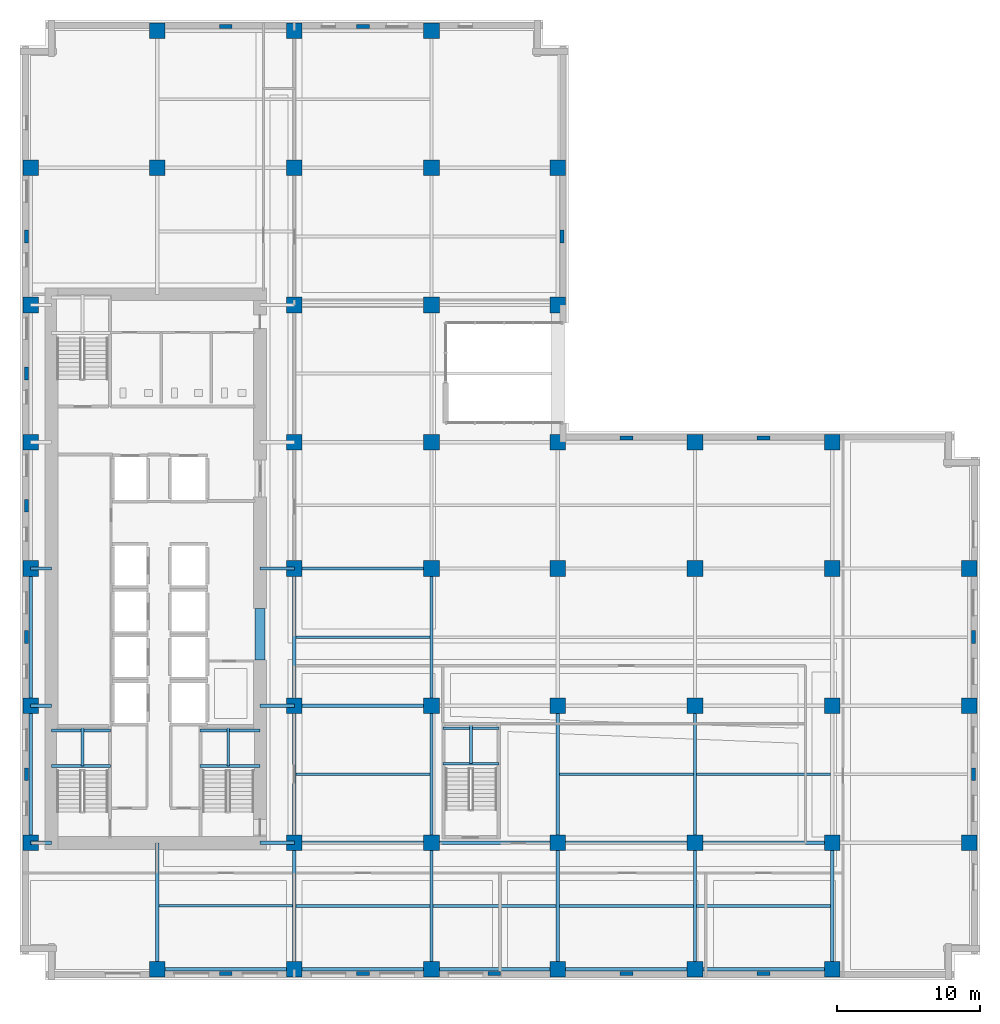
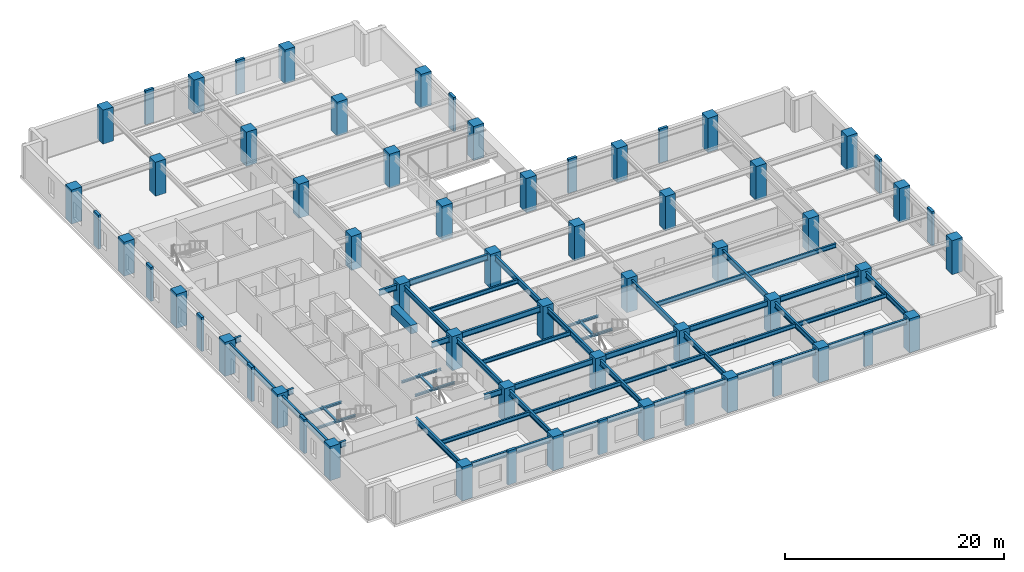
# One storey, part 1 of 14: 62 columns, 50 beams.
"""IFC4 building model written with IfcOpenShell, lengths in metres."""

import ifcopenshell
import ifcopenshell.guid

model = None  # the IFC model being written
_history = None  # IfcOwnerHistory: only IFC2X3 demands one
_inside = {}  # id of a spatial element -> (the spatial element, [elements in it])
_under = {}  # id of a project, library or spatial element -> (it, [spatial elements below it])
_declared = {}  # id of a project -> (the project, [libraries it declares])
_typed = {}  # id of a type object -> (the type object, [elements of that type])
_made_of = {}  # id of a material, layer set ... -> (it, [elements and type objects made of it])


def new_model(schema):
    """Start an empty IFC model of exactly this schema.

    Asked for "IFC4X3", IfcOpenShell would pick the latest addendum, in which some entities
    have other attributes; the version numbers below select the first issue.
    IFC2X3 requires an IfcOwnerHistory on every rooted entity: one is made here for all.
    """
    global model, _history
    if schema == "IFC4X3":
        model = ifcopenshell.file(schema_version=(4, 3, 0, 0))
    else:
        model = ifcopenshell.file(schema=schema)
    _inside.clear()
    _under.clear()
    _declared.clear()
    _typed.clear()
    _made_of.clear()
    _history = None
    if model.schema == "IFC2X3":
        org = make("IfcOrganization", Name="unknown")
        user = make(
            "IfcPersonAndOrganization",
            ThePerson=make("IfcPerson", FamilyName="unknown"),
            TheOrganization=org,
        )
        app = make(
            "IfcApplication",
            ApplicationDeveloper=org,
            Version="unknown",
            ApplicationFullName="unknown",
            ApplicationIdentifier="unknown",
        )
        _history = make(
            "IfcOwnerHistory",
            OwningUser=user,
            OwningApplication=app,
            ChangeAction="ADDED",
            CreationDate=0,
        )
    return model


def make(cls, **values):
    """One entity of the class cls with the attributes given. An attribute that is None is left unset."""
    return model.create_entity(
        cls, **{name: value for name, value in values.items() if value is not None}
    )


def rooted(cls, **values):
    """An entity with a GlobalId (a new one), such as an element, a storey or a relation."""
    return make(cls, GlobalId=ifcopenshell.guid.new(), OwnerHistory=_history, **values)


def si_unit(unit_type, name, prefix=None):
    """IfcSIUnit, for example si_unit("LENGTHUNIT", "METRE", prefix="MILLI")."""
    return make("IfcSIUnit", UnitType=unit_type, Prefix=prefix, Name=name)


def assignment(units):
    """IfcUnitAssignment: the units of a project."""
    return None if units is None else make("IfcUnitAssignment", Units=units)


def point(xyz):
    """IfcCartesianPoint."""
    return None if xyz is None else make("IfcCartesianPoint", Coordinates=xyz)


def direction(xyz):
    """IfcDirection."""
    return None if xyz is None else make("IfcDirection", DirectionRatios=xyz)


def frame(location, z_axis=None, x_axis=None):
    """IfcAxis2Placement3D, a coordinate frame: its origin and axes. An axis left out is left unset."""
    return make(
        "IfcAxis2Placement3D",
        Location=point(location),
        Axis=direction(z_axis),
        RefDirection=direction(x_axis),
    )


def frame_2d(location, x_axis=None):
    """IfcAxis2Placement2D, a coordinate frame in the plane: its origin and x axis."""
    return make(
        "IfcAxis2Placement2D", Location=point(location), RefDirection=direction(x_axis)
    )


def origin():
    """The frame at (0, 0, 0) with its axes left unset."""
    return frame((0.0, 0.0, 0.0))


def origin_2d():
    """The frame at (0, 0) in the plane with its x axis left unset."""
    return frame_2d((0.0, 0.0))


def place(relative_to, where):
    """IfcLocalPlacement: puts the frame where relative to a parent placement (None: the world)."""
    return make(
        "IfcLocalPlacement", PlacementRelTo=relative_to, RelativePlacement=where
    )


def context(
    kind, dimensions, precision=None, world=None, true_north=None, identifier=None
):
    """IfcGeometricRepresentationContext, for example the 3D "Model" context."""
    return make(
        "IfcGeometricRepresentationContext",
        ContextIdentifier=identifier,
        ContextType=kind,
        CoordinateSpaceDimension=dimensions,
        Precision=precision,
        WorldCoordinateSystem=world,
        TrueNorth=true_north,
    )


def subcontext(parent, identifier, kind, view, scale=None):
    """IfcGeometricRepresentationSubContext, for example "Body" below "Model"."""
    return make(
        "IfcGeometricRepresentationSubContext",
        ContextIdentifier=identifier,
        ContextType=kind,
        ParentContext=parent,
        TargetScale=scale,
        TargetView=view,
    )


def project(units=None, contexts=None):
    """IfcProject with its units and contexts."""
    return rooted(
        "IfcProject",
        Name="project",
        RepresentationContexts=contexts,
        UnitsInContext=assignment(units),
    )


def spatial(cls, under=None, at=None, **own):
    """A site, building, storey or space (cls), placed at a placement, below another one or the project."""
    s = rooted(cls, ObjectPlacement=at, **own)
    if under is not None:
        _under.setdefault(under.id(), (under, []))[1].append(s)
    return s


def profile(cls, at=None, kind="AREA", **sizes):
    """A parametric profile (cls). Its sizes go by their IFC names, for example OverallWidth=200.0."""
    return make(cls, ProfileType=kind, Position=at, **sizes)


def rectangle(**sizes):
    """IfcRectangleProfileDef."""
    return profile("IfcRectangleProfileDef", **sizes)


def i_section(**sizes):
    """IfcIShapeProfileDef."""
    return profile("IfcIShapeProfileDef", **sizes)


def extrude(swept, where, along, depth):
    """IfcExtrudedAreaSolid: the profile swept, set in the frame where, extruded along a direction by depth."""
    return make(
        "IfcExtrudedAreaSolid",
        SweptArea=swept,
        Position=where,
        ExtrudedDirection=direction(along),
        Depth=depth,
    )


def shape(context_of_items, identifier, shape_type, items):
    """IfcShapeRepresentation: the items that make up one representation, for example the "Body"."""
    return make(
        "IfcShapeRepresentation",
        ContextOfItems=context_of_items,
        RepresentationIdentifier=identifier,
        RepresentationType=shape_type,
        Items=items,
    )


def material(Name=None, Category=None):
    """IfcMaterial."""
    return make("IfcMaterial", Name=Name, Category=Category)


def material_profile(
    of_material, cross_section, Name=None, Category=None, Priority=None
):
    """IfcMaterialProfile: a cross section and its material."""
    return make(
        "IfcMaterialProfile",
        Name=Name,
        Material=of_material,
        Profile=cross_section,
        Priority=Priority,
        Category=Category,
    )


def profile_set(profiles, Name=None, composite=None):
    """IfcMaterialProfileSet."""
    return make(
        "IfcMaterialProfileSet",
        Name=Name,
        MaterialProfiles=profiles,
        CompositeProfile=composite,
    )


def made_of(thing, what):
    """Note that an element or type object is made of a material, layer set ...; save() writes the relation."""
    if what is not None:
        _made_of.setdefault(what.id(), (what, []))[1].append(thing)
    return thing


def type_object(cls, material=None, **own):
    """A type object (cls), such as IfcWallType, which elements share."""
    return made_of(rooted(cls, **own), material)


def element(
    cls,
    number,
    at=None,
    inside=None,
    cuts=None,
    type_object=None,
    material=None,
    context=None,
    identifier="Body",
    shape_type=None,
    held_by="IfcProductDefinitionShape",
    body=None,
    shapes=None,
    **own,
):
    """One element of the class cls, such as IfcWall. Its Tag is "e" and its number.

    at: its placement. inside: the storey or other place that contains it. cuts: it is an
    opening in that element (IfcRelVoidsElement). A single representation is given by context,
    identifier, shape_type and body (its items); several are given by shapes. held_by: the class
    of the entity that holds the representations. save() writes the other relations.
    """
    e = rooted(cls, Tag="e%d" % number, ObjectPlacement=at, **own)
    if body is not None:
        shapes = [shape(context, identifier, shape_type, body)]
    if shapes is not None:
        e.Representation = make(held_by, Representations=shapes)
    if inside is not None:
        _inside.setdefault(inside.id(), (inside, []))[1].append(e)
    if cuts is not None:
        rooted(
            "IfcRelVoidsElement", RelatingBuildingElement=cuts, RelatedOpeningElement=e
        )
    if type_object is not None:
        _typed.setdefault(type_object.id(), (type_object, []))[1].append(e)
    return made_of(e, material)


def aggregate(whole, parts):
    """IfcRelAggregates: a whole, such as a stair, and the parts it consists of."""
    return rooted("IfcRelAggregates", RelatingObject=whole, RelatedObjects=parts)


def save(model, path):
    """Write the relations noted so far, then the file.

    IfcRelAggregates (storeys below a building ...), IfcRelContainedInSpatialStructure (elements
    in a storey), IfcRelDefinesByType, IfcRelAssociatesMaterial and IfcRelDeclares: one each for
    every whole, place, type object, material and project.
    """
    for whole, parts in _under.values():
        aggregate(whole, parts)
    for where, things in _inside.values():
        rooted(
            "IfcRelContainedInSpatialStructure",
            RelatedElements=things,
            RelatingStructure=where,
        )
    for kind, things in _typed.values():
        rooted("IfcRelDefinesByType", RelatedObjects=things, RelatingType=kind)
    for what, things in _made_of.values():
        rooted("IfcRelAssociatesMaterial", RelatedObjects=things, RelatingMaterial=what)
    for by, libraries in _declared.values():
        rooted("IfcRelDeclares", RelatingContext=by, RelatedDefinitions=libraries)
    model.write(path)


model = new_model("IFC4")

# Units and contexts
model_context = context("Model", 3, precision=1e-05, world=origin(), true_north=direction((0.0, 1.0)))
body_context = subcontext(model_context, "Body", "Model", "MODEL_VIEW")
ifc_project = project(units=[si_unit("LENGTHUNIT", "METRE"), si_unit("AREAUNIT", "SQUARE_METRE"), si_unit("VOLUMEUNIT", "CUBIC_METRE"), si_unit("PLANEANGLEUNIT", "RADIAN"), si_unit("MASSUNIT", "GRAM", prefix="KILO")], contexts=[model_context])

# Site, building, storey
site_placement = place(None, origin())
site = spatial("IfcSite", under=ifc_project, at=site_placement, CompositionType="ELEMENT")
building_placement = place(site_placement, origin())
building = spatial("IfcBuilding", under=site, at=building_placement, Name="Norrvale University Quadrangle", CompositionType="ELEMENT")
storey_placement = place(building_placement, frame((0.0, 0.0, 62.199951171875)))
storey = spatial("IfcBuildingStorey", under=building, at=storey_placement, Name="L15", CompositionType="ELEMENT", Elevation=62.199951171875)

# Columns
ifc_material_1 = material(Name="Buff Brick Concrete C60/75", Category="concrete")
ifc_material_profile_1 = material_profile(ifc_material_1, rectangle(XDim=0.89990234375, YDim=0.280029296875, at=origin_2d()), Name="Buff Brick Concrete C60/75")
ifc_profile_set_1 = profile_set([ifc_material_profile_1], Name="Buff Brick Concrete C60/75")
column_type_1 = type_object("IfcColumnType", Name="Column Buff Pier 900x280", PredefinedType="PILASTER", material=ifc_profile_set_1)
for number, where, z_axis, x_axis, name in (
    (1, (0.449951171875, 14.39990234375, 0.0), (0.0, 0.0, 1.0), (0.0, 1.0, 0.0), "Exterior Brick Facade Pilaster L15-01"),
    (2, (0.449951171875, 24.0, 0.0), (0.0, 0.0, 1.0), (0.0, 1.0, 0.0), "Exterior Brick Facade Pilaster L15-02"),
    (3, (0.449951171875, 33.199951171875, 0.0), (0.0, 0.0, 1.0), (0.0, 1.0, 0.0), "Exterior Brick Facade Pilaster L15-03"),
    (4, (0.449951171875, 42.449951171875, 0.0), (0.0, 0.0, 1.0), (0.0, 1.0, 0.0), "Exterior Brick Facade Pilaster L15-04"),
    (5, (0.449951171875, 52.050048828125, 0.0), (0.0, 0.0, 1.0), (0.0, 1.0, 0.0), "Exterior Brick Facade Pilaster L15-05"),
    (6, (14.39990234375, 0.449951171875, 0.0), (0.0, 0.0, 1.0), (1.0, 0.0, 0.0), "Exterior Brick Facade Pilaster L15-06"),
    (7, (24.0, 0.449951171875, 0.0), (0.0, 0.0, 1.0), (1.0, 0.0, 0.0), "Exterior Brick Facade Pilaster L15-07"),
    (8, (33.199951171875, 0.449951171875, 0.0), (0.0, 0.0, 1.0), (1.0, 0.0, 0.0), "Exterior Brick Facade Pilaster L15-08"),
    (9, (42.449951171875, 0.449951171875, 0.0), (0.0, 0.0, 1.0), (1.0, 0.0, 0.0), "Exterior Brick Facade Pilaster L15-09"),
    (10, (52.050048828125, 0.449951171875, 0.0), (0.0, 0.0, 1.0), (1.0, 0.0, 0.0), "Exterior Brick Facade Pilaster L15-10"),
    (11, (66.75, 14.39990234375, 0.0), (0.0, 0.0, 1.0), (0.0, 1.0, 0.0), "Exterior Brick Facade Pilaster L15-11"),
    (12, (66.75, 24.0, 0.0), (0.0, 0.0, 1.0), (0.0, 1.0, 0.0), "Exterior Brick Facade Pilaster L15-12"),
    (13, (14.39990234375, 66.75, 0.0), (0.0, 0.0, 1.0), (1.0, 0.0, 0.0), "Exterior Brick Facade Pilaster L15-13"),
    (14, (24.0, 66.75, 0.0), (0.0, 0.0, 1.0), (1.0, 0.0, 0.0), "Exterior Brick Facade Pilaster L15-14"),
    (15, (37.949951171875, 52.050048828125, 0.0), (0.0, 0.0, 1.0), (0.0, 1.0, 0.0), "Exterior Brick Facade Pilaster L15-15"),
    (16, (42.449951171875, 37.949951171875, 0.0), (0.0, 0.0, 1.0), (1.0, 0.0, 0.0), "Exterior Brick Facade Pilaster L15-16"),
    (17, (52.050048828125, 37.949951171875, 0.0), (0.0, 0.0, 1.0), (1.0, 0.0, 0.0), "Exterior Brick Facade Pilaster L15-17"),
):
    element("IfcColumn", number, at=place(storey_placement, frame(where, z_axis=z_axis, x_axis=x_axis)), inside=storey, type_object=column_type_1, Name=name, PredefinedType="PILASTER", context=body_context, shape_type="SweptSolid", body=[
        extrude(rectangle(XDim=0.89990234375, YDim=0.280029296875, at=origin_2d()), origin(), (0.0, 0.0, 1.0), 3.800048828125),
    ])
ifc_material_2 = material(Name="Concrete C80/95", Category="concrete")
ifc_material_profile_2 = material_profile(ifc_material_2, rectangle(XDim=1.10009765625, YDim=1.10009765625, at=origin_2d()), Name="Concrete C80/95")
ifc_profile_set_2 = profile_set([ifc_material_profile_2], Name="Concrete C80/95")
column_type_2 = type_object("IfcColumnType", Name="Column Tower Z1 1100x1100", PredefinedType="COLUMN", material=ifc_profile_set_2)
for number, where, z_axis, x_axis, name in (
    (18, (0.75, 9.60009765625, 0.0), (0.0, 0.0, 1.0), (1.0, 0.0, 0.0), "Tower Column L15-T01"),
    (19, (0.75, 19.199951171875, 0.0), (0.0, 0.0, 1.0), (1.0, 0.0, 0.0), "Tower Column L15-T02"),
    (20, (0.75, 28.800048828125, 0.0), (0.0, 0.0, 1.0), (1.0, 0.0, 0.0), "Tower Column L15-T03"),
    (21, (0.75, 37.64990234375, 0.0), (0.0, 0.0, 1.0), (1.0, 0.0, 0.0), "Tower Column L15-T04"),
    (22, (0.75, 47.25, 0.0), (0.0, 0.0, 1.0), (1.0, 0.0, 0.0), "Tower Column L15-T05"),
    (23, (0.75, 56.85009765625, 0.0), (0.0, 0.0, 1.0), (1.0, 0.0, 0.0), "Tower Column L15-T06"),
    (24, (9.60009765625, 0.75, 0.0), (0.0, 0.0, 1.0), (1.0, 0.0, 0.0), "Tower Column L15-T07"),
    (25, (9.60009765625, 56.85009765625, 0.0), (0.0, 0.0, 1.0), (1.0, 0.0, 0.0), "Tower Column L15-T08"),
    (26, (9.60009765625, 66.449951171875, 0.0), (0.0, 0.0, 1.0), (1.0, 0.0, 0.0), "Tower Column L15-T09"),
    (27, (19.199951171875, 0.75, 0.0), (0.0, 0.0, 1.0), (1.0, 0.0, 0.0), "Tower Column L15-T10"),
    (28, (19.199951171875, 9.60009765625, 0.0), (0.0, 0.0, 1.0), (1.0, 0.0, 0.0), "Tower Column L15-T11"),
    (29, (19.199951171875, 19.199951171875, 0.0), (0.0, 0.0, 1.0), (1.0, 0.0, 0.0), "Tower Column L15-T12"),
    (30, (19.199951171875, 28.800048828125, 0.0), (0.0, 0.0, 1.0), (1.0, 0.0, 0.0), "Tower Column L15-T13"),
    (31, (19.199951171875, 37.64990234375, 0.0), (0.0, 0.0, 1.0), (1.0, 0.0, 0.0), "Tower Column L15-T14"),
    (32, (19.199951171875, 47.25, 0.0), (0.0, 0.0, 1.0), (1.0, 0.0, 0.0), "Tower Column L15-T15"),
    (33, (19.199951171875, 56.85009765625, 0.0), (0.0, 0.0, 1.0), (1.0, 0.0, 0.0), "Tower Column L15-T16"),
    (34, (19.199951171875, 66.449951171875, 0.0), (0.0, 0.0, 1.0), (1.0, 0.0, 0.0), "Tower Column L15-T17"),
    (35, (28.800048828125, 0.75, 0.0), (0.0, 0.0, 1.0), (1.0, 0.0, 0.0), "Tower Column L15-T18"),
    (36, (28.800048828125, 9.60009765625, 0.0), (0.0, 0.0, 1.0), (1.0, 0.0, 0.0), "Tower Column L15-T19"),
    (37, (28.800048828125, 19.199951171875, 0.0), (0.0, 0.0, 1.0), (1.0, 0.0, 0.0), "Tower Column L15-T20"),
    (38, (28.800048828125, 28.800048828125, 0.0), (0.0, 0.0, 1.0), (1.0, 0.0, 0.0), "Tower Column L15-T21"),
    (39, (28.800048828125, 37.64990234375, 0.0), (0.0, 0.0, 1.0), (1.0, 0.0, 0.0), "Tower Column L15-T22"),
    (40, (28.800048828125, 47.25, 0.0), (0.0, 0.0, 1.0), (1.0, 0.0, 0.0), "Tower Column L15-T23"),
    (41, (28.800048828125, 56.85009765625, 0.0), (0.0, 0.0, 1.0), (1.0, 0.0, 0.0), "Tower Column L15-T24"),
    (42, (28.800048828125, 66.449951171875, 0.0), (0.0, 0.0, 1.0), (1.0, 0.0, 0.0), "Tower Column L15-T25"),
    (43, (37.64990234375, 0.75, 0.0), (0.0, 0.0, 1.0), (1.0, 0.0, 0.0), "Tower Column L15-T26"),
    (44, (37.64990234375, 9.60009765625, 0.0), (0.0, 0.0, 1.0), (1.0, 0.0, 0.0), "Tower Column L15-T27"),
    (45, (37.64990234375, 19.199951171875, 0.0), (0.0, 0.0, 1.0), (1.0, 0.0, 0.0), "Tower Column L15-T28"),
    (46, (37.64990234375, 28.800048828125, 0.0), (0.0, 0.0, 1.0), (1.0, 0.0, 0.0), "Tower Column L15-T29"),
    (47, (37.64990234375, 37.64990234375, 0.0), (0.0, 0.0, 1.0), (1.0, 0.0, 0.0), "Tower Column L15-T30"),
    (48, (37.64990234375, 47.25, 0.0), (0.0, 0.0, 1.0), (1.0, 0.0, 0.0), "Tower Column L15-T31"),
    (49, (37.64990234375, 56.85009765625, 0.0), (0.0, 0.0, 1.0), (1.0, 0.0, 0.0), "Tower Column L15-T32"),
    (50, (47.25, 0.75, 0.0), (0.0, 0.0, 1.0), (1.0, 0.0, 0.0), "Tower Column L15-T33"),
    (51, (47.25, 9.60009765625, 0.0), (0.0, 0.0, 1.0), (1.0, 0.0, 0.0), "Tower Column L15-T34"),
    (52, (47.25, 19.199951171875, 0.0), (0.0, 0.0, 1.0), (1.0, 0.0, 0.0), "Tower Column L15-T35"),
    (53, (47.25, 28.800048828125, 0.0), (0.0, 0.0, 1.0), (1.0, 0.0, 0.0), "Tower Column L15-T36"),
    (54, (47.25, 37.64990234375, 0.0), (0.0, 0.0, 1.0), (1.0, 0.0, 0.0), "Tower Column L15-T37"),
    (55, (56.85009765625, 0.75, 0.0), (0.0, 0.0, 1.0), (1.0, 0.0, 0.0), "Tower Column L15-T38"),
    (56, (56.85009765625, 9.60009765625, 0.0), (0.0, 0.0, 1.0), (1.0, 0.0, 0.0), "Tower Column L15-T39"),
    (57, (56.85009765625, 19.199951171875, 0.0), (0.0, 0.0, 1.0), (1.0, 0.0, 0.0), "Tower Column L15-T40"),
    (58, (56.85009765625, 28.800048828125, 0.0), (0.0, 0.0, 1.0), (1.0, 0.0, 0.0), "Tower Column L15-T41"),
    (59, (56.85009765625, 37.64990234375, 0.0), (0.0, 0.0, 1.0), (1.0, 0.0, 0.0), "Tower Column L15-T42"),
    (60, (66.449951171875, 9.60009765625, 0.0), (0.0, 0.0, 1.0), (1.0, 0.0, 0.0), "Tower Column L15-T43"),
    (61, (66.449951171875, 19.199951171875, 0.0), (0.0, 0.0, 1.0), (1.0, 0.0, 0.0), "Tower Column L15-T44"),
    (62, (66.449951171875, 28.800048828125, 0.0), (0.0, 0.0, 1.0), (1.0, 0.0, 0.0), "Tower Column L15-T45"),
):
    element("IfcColumn", number, at=place(storey_placement, frame(where, z_axis=z_axis, x_axis=x_axis)), inside=storey, type_object=column_type_2, Name=name, PredefinedType="COLUMN", context=body_context, shape_type="SweptSolid", body=[
        extrude(rectangle(XDim=1.10009765625, YDim=1.10009765625, at=origin_2d()), origin(), (0.0, 0.0, 1.0), 3.800048828125),
    ])

# Beams
ifc_material_profile_3 = material_profile(ifc_material_2, rectangle(XDim=0.699951171875, YDim=0.949951171875, at=origin_2d()), Name="Concrete C80/95")
ifc_profile_set_3 = profile_set([ifc_material_profile_3], Name="Concrete C80/95")
beam_type_1 = type_object("IfcBeamType", Name="Beam Core Link 700x950", PredefinedType="LINTEL", material=ifc_profile_set_3)
beam_1_placement = place(storey_placement, frame((16.800048828125, 22.39990234375, 3.06494140625), z_axis=(0.0, 1.0, 0.0), x_axis=(-1.0, 0.0, 0.0)))
element("IfcBeam", 63, at=beam_1_placement, inside=storey, type_object=beam_type_1, Name="Core Coupling Lintel Beam L15-1", PredefinedType="LINTEL", context=body_context, shape_type="SweptSolid", body=[
    extrude(rectangle(XDim=0.699951171875, YDim=0.949951171875, at=origin_2d()), origin(), (0.0, 0.0, 1.0), 3.60009765625),
])
ifc_material_3 = material(Name="Steel 350W", Category="steel")
ifc_material_profile_4 = material_profile(ifc_material_3, i_section(OverallWidth=0.194091796875, OverallDepth=0.468994140625, WebThickness=0.0126953125, FlangeThickness=0.0205078125, FilletRadius=0.012939453125, at=origin_2d()), Name="Steel 350W")
ifc_profile_set_4 = profile_set([ifc_material_profile_4], Name="Steel 350W")
beam_type_2 = type_object("IfcBeamType", Name="Beam Floor W460x106", PredefinedType="BEAM", material=ifc_profile_set_4)
for number, where, z_axis, x_axis, name in (
    (64, (19.31494140625, 5.175048828125, 3.3056640625), (1.0, 0.0, 0.0), (0.0, 1.0, 0.0), "Beam Floor W460x106 BM-L15-J079"),
    (65, (19.31494140625, 14.39990234375, 3.3056640625), (1.0, 0.0, 0.0), (0.0, 1.0, 0.0), "Beam Floor W460x106 BM-L15-J080"),
    (66, (19.31494140625, 24.0, 3.3056640625), (1.0, 0.0, 0.0), (0.0, 1.0, 0.0), "Beam Floor W460x106 BM-L15-J081"),
):
    element("IfcBeam", number, at=place(storey_placement, frame(where, z_axis=z_axis, x_axis=x_axis)), inside=storey, type_object=beam_type_2, Name=name, PredefinedType="BEAM", context=body_context, shape_type="SweptSolid", body=[
        extrude(i_section(OverallWidth=0.194091796875, OverallDepth=0.468994140625, WebThickness=0.0126953125, FlangeThickness=0.0205078125, FilletRadius=0.012939453125, at=origin_2d()), origin(), (0.0, 0.0, 1.0), 9.3701171875),
    ])
beam_2_placement = place(storey_placement, frame((28.9150390625, 5.175048828125, 3.3056640625), z_axis=(1.0, 0.0, 0.0), x_axis=(0.0, 1.0, 0.0)))
element("IfcBeam", 67, at=beam_2_placement, inside=storey, type_object=beam_type_2, Name="Beam Floor W460x106 BM-L15-J086", PredefinedType="BEAM", context=body_context, shape_type="SweptSolid", body=[
    extrude(i_section(OverallWidth=0.194091796875, OverallDepth=0.468994140625, WebThickness=0.0126953125, FlangeThickness=0.0205078125, FilletRadius=0.012939453125, at=origin_2d()), origin(), (0.0, 0.0, 1.0), 8.619873046875),
])
for number, where, z_axis, x_axis, name in (
    (68, (37.764892578125, 5.175048828125, 3.3056640625), (1.0, 0.0, 0.0), (0.0, 1.0, 0.0), "Beam Floor W460x106 BM-L15-J091"),
    (69, (37.764892578125, 14.39990234375, 3.3056640625), (1.0, 0.0, 0.0), (0.0, 1.0, 0.0), "Beam Floor W460x106 BM-L15-J092"),
    (70, (47.364990234375, 5.175048828125, 3.3056640625), (1.0, 0.0, 0.0), (0.0, 1.0, 0.0), "Beam Floor W460x106 BM-L15-J095"),
    (71, (47.364990234375, 14.39990234375, 3.3056640625), (1.0, 0.0, 0.0), (0.0, 1.0, 0.0), "Beam Floor W460x106 BM-L15-J096"),
):
    element("IfcBeam", number, at=place(storey_placement, frame(where, z_axis=z_axis, x_axis=x_axis)), inside=storey, type_object=beam_type_2, Name=name, PredefinedType="BEAM", context=body_context, shape_type="SweptSolid", body=[
        extrude(i_section(OverallWidth=0.194091796875, OverallDepth=0.468994140625, WebThickness=0.0126953125, FlangeThickness=0.0205078125, FilletRadius=0.012939453125, at=origin_2d()), origin(), (0.0, 0.0, 1.0), 9.3701171875),
    ])
beam_3_placement = place(storey_placement, frame((9.715087890625, 5.199951171875, 3.3056640625), z_axis=(1.0, 0.0, 0.0), x_axis=(0.0, 1.0, 0.0)))
element("IfcBeam", 72, at=beam_3_placement, inside=storey, type_object=beam_type_2, Name="Beam Floor W460x106 BM-L15-JCS102", PredefinedType="BEAM", context=body_context, shape_type="SweptSolid", body=[
    extrude(i_section(OverallWidth=0.194091796875, OverallDepth=0.468994140625, WebThickness=0.0126953125, FlangeThickness=0.0205078125, FilletRadius=0.012939453125, at=origin_2d()), origin(), (0.0, 0.0, 1.0), 9.369873046875),
])
ifc_material_profile_5 = material_profile(ifc_material_3, i_section(OverallWidth=0.22998046875, OverallDepth=0.616943359375, WebThickness=0.01318359375, FlangeThickness=0.022216796875, FilletRadius=0.01611328125, at=origin_2d()), Name="Steel 350W")
ifc_profile_set_5 = profile_set([ifc_material_profile_5], Name="Steel 350W")
beam_type_3 = type_object("IfcBeamType", Name="Beam Floor W610x140", PredefinedType="BEAM", material=ifc_profile_set_5)
beam_4_placement = place(storey_placement, frame((9.60009765625, 0.75, 3.2314453125), z_axis=(1.0, 0.0, 0.0), x_axis=(0.0, 1.0, 0.0)))
element("IfcBeam", 73, at=beam_4_placement, inside=storey, type_object=beam_type_3, Name="Beam Floor W610x140 BM-L15-GX001", PredefinedType="BEAM", context=body_context, shape_type="SweptSolid", body=[
    extrude(i_section(OverallWidth=0.22998046875, OverallDepth=0.616943359375, WebThickness=0.01318359375, FlangeThickness=0.022216796875, FilletRadius=0.01611328125, at=origin_2d()), origin(), (0.0, 0.0, 1.0), 9.599853515625),
])
beam_5_placement = place(storey_placement, frame((19.199951171875, 0.75, 3.2314453125), z_axis=(1.0, 0.0, 0.0), x_axis=(0.0, 1.0, 0.0)))
element("IfcBeam", 74, at=beam_5_placement, inside=storey, type_object=beam_type_3, Name="Beam Floor W610x140 BM-L15-GX002", PredefinedType="BEAM", context=body_context, shape_type="SweptSolid", body=[
    extrude(i_section(OverallWidth=0.22998046875, OverallDepth=0.616943359375, WebThickness=0.01318359375, FlangeThickness=0.022216796875, FilletRadius=0.01611328125, at=origin_2d()), origin(), (0.0, 0.0, 1.0), 9.60009765625),
])
beam_6_placement = place(storey_placement, frame((28.800048828125, 0.75, 3.2314453125), z_axis=(1.0, 0.0, 0.0), x_axis=(0.0, 1.0, 0.0)))
element("IfcBeam", 75, at=beam_6_placement, inside=storey, type_object=beam_type_3, Name="Beam Floor W610x140 BM-L15-GX003", PredefinedType="BEAM", context=body_context, shape_type="SweptSolid", body=[
    extrude(i_section(OverallWidth=0.22998046875, OverallDepth=0.616943359375, WebThickness=0.01318359375, FlangeThickness=0.022216796875, FilletRadius=0.01611328125, at=origin_2d()), origin(), (0.0, 0.0, 1.0), 8.849853515625),
])
for number, where, z_axis, x_axis, name in (
    (76, (37.64990234375, 0.75, 3.2314453125), (1.0, 0.0, 0.0), (0.0, 1.0, 0.0), "Beam Floor W610x140 BM-L15-GX004"),
    (77, (47.25, 0.75, 3.2314453125), (1.0, 0.0, 0.0), (0.0, 1.0, 0.0), "Beam Floor W610x140 BM-L15-GX005"),
    (78, (19.199951171875, 9.60009765625, 3.2314453125), (1.0, 0.0, 0.0), (0.0, 1.0, 0.0), "Beam Floor W610x140 BM-L15-GX006"),
):
    element("IfcBeam", number, at=place(storey_placement, frame(where, z_axis=z_axis, x_axis=x_axis)), inside=storey, type_object=beam_type_3, Name=name, PredefinedType="BEAM", context=body_context, shape_type="SweptSolid", body=[
        extrude(i_section(OverallWidth=0.22998046875, OverallDepth=0.616943359375, WebThickness=0.01318359375, FlangeThickness=0.022216796875, FilletRadius=0.01611328125, at=origin_2d()), origin(), (0.0, 0.0, 1.0), 9.60009765625),
    ])
beam_7_placement = place(storey_placement, frame((28.800048828125, 9.60009765625, 3.2314453125), z_axis=(1.0, 0.0, 0.0), x_axis=(0.0, 1.0, 0.0)))
element("IfcBeam", 79, at=beam_7_placement, inside=storey, type_object=beam_type_3, Name="Beam Floor W610x140 BM-L15-GX007", PredefinedType="BEAM", context=body_context, shape_type="SweptSolid", body=[
    extrude(i_section(OverallWidth=0.22998046875, OverallDepth=0.616943359375, WebThickness=0.01318359375, FlangeThickness=0.022216796875, FilletRadius=0.01611328125, at=origin_2d()), origin(), (0.0, 0.0, 1.0), 8.849853515625),
])
for number, where, z_axis, x_axis, name in (
    (80, (37.64990234375, 9.60009765625, 3.2314453125), (1.0, 0.0, 0.0), (0.0, 1.0, 0.0), "Beam Floor W610x140 BM-L15-GX008"),
    (81, (47.25, 9.60009765625, 3.2314453125), (1.0, 0.0, 0.0), (0.0, 1.0, 0.0), "Beam Floor W610x140 BM-L15-GX009"),
    (82, (19.199951171875, 19.199951171875, 3.2314453125), (1.0, 0.0, 0.0), (0.0, 1.0, 0.0), "Beam Floor W610x140 BM-L15-GX011"),
    (83, (19.199951171875, 28.800048828125, 3.2314453125), (1.0, 0.0, 0.0), (0.0, 1.0, 0.0), "Beam Floor W610x140 BM-L15-GX016"),
):
    element("IfcBeam", number, at=place(storey_placement, frame(where, z_axis=z_axis, x_axis=x_axis)), inside=storey, type_object=beam_type_3, Name=name, PredefinedType="BEAM", context=body_context, shape_type="SweptSolid", body=[
        extrude(i_section(OverallWidth=0.22998046875, OverallDepth=0.616943359375, WebThickness=0.01318359375, FlangeThickness=0.022216796875, FilletRadius=0.01611328125, at=origin_2d()), origin(), (0.0, 0.0, 1.0), 9.60009765625),
    ])
beam_8_placement = place(storey_placement, frame((0.75, 9.60009765625, 3.2314453125), z_axis=(0.0, 1.0, 0.0), x_axis=(-1.0, 0.0, 0.0)))
element("IfcBeam", 84, at=beam_8_placement, inside=storey, type_object=beam_type_3, Name="Beam Floor W610x140 BM-L15-GY033", PredefinedType="BEAM", context=body_context, shape_type="SweptSolid", body=[
    extrude(i_section(OverallWidth=0.22998046875, OverallDepth=0.616943359375, WebThickness=0.01318359375, FlangeThickness=0.022216796875, FilletRadius=0.01611328125, at=origin_2d()), origin(), (0.0, 0.0, 1.0), 9.599853515625),
])
beam_9_placement = place(storey_placement, frame((0.75, 19.199951171875, 3.2314453125), z_axis=(0.0, 1.0, 0.0), x_axis=(-1.0, 0.0, 0.0)))
element("IfcBeam", 85, at=beam_9_placement, inside=storey, type_object=beam_type_3, Name="Beam Floor W610x140 BM-L15-GY034", PredefinedType="BEAM", context=body_context, shape_type="SweptSolid", body=[
    extrude(i_section(OverallWidth=0.22998046875, OverallDepth=0.616943359375, WebThickness=0.01318359375, FlangeThickness=0.022216796875, FilletRadius=0.01611328125, at=origin_2d()), origin(), (0.0, 0.0, 1.0), 9.60009765625),
])
beam_10_placement = place(storey_placement, frame((19.199951171875, 0.75, 3.2314453125), z_axis=(0.0, 1.0, 0.0), x_axis=(-1.0, 0.0, 0.0)))
element("IfcBeam", 86, at=beam_10_placement, inside=storey, type_object=beam_type_3, Name="Beam Floor W610x140 BM-L15-GY039", PredefinedType="BEAM", context=body_context, shape_type="SweptSolid", body=[
    extrude(i_section(OverallWidth=0.22998046875, OverallDepth=0.616943359375, WebThickness=0.01318359375, FlangeThickness=0.022216796875, FilletRadius=0.01611328125, at=origin_2d()), origin(), (0.0, 0.0, 1.0), 8.85009765625),
])
beam_11_placement = place(storey_placement, frame((19.199951171875, 9.60009765625, 3.2314453125), z_axis=(0.0, 1.0, 0.0), x_axis=(-1.0, 0.0, 0.0)))
element("IfcBeam", 87, at=beam_11_placement, inside=storey, type_object=beam_type_3, Name="Beam Floor W610x140 BM-L15-GY040", PredefinedType="BEAM", context=body_context, shape_type="SweptSolid", body=[
    extrude(i_section(OverallWidth=0.22998046875, OverallDepth=0.616943359375, WebThickness=0.01318359375, FlangeThickness=0.022216796875, FilletRadius=0.01611328125, at=origin_2d()), origin(), (0.0, 0.0, 1.0), 9.599853515625),
])
beam_12_placement = place(storey_placement, frame((19.199951171875, 19.199951171875, 3.2314453125), z_axis=(0.0, 1.0, 0.0), x_axis=(-1.0, 0.0, 0.0)))
element("IfcBeam", 88, at=beam_12_placement, inside=storey, type_object=beam_type_3, Name="Beam Floor W610x140 BM-L15-GY041", PredefinedType="BEAM", context=body_context, shape_type="SweptSolid", body=[
    extrude(i_section(OverallWidth=0.22998046875, OverallDepth=0.616943359375, WebThickness=0.01318359375, FlangeThickness=0.022216796875, FilletRadius=0.01611328125, at=origin_2d()), origin(), (0.0, 0.0, 1.0), 9.60009765625),
])
beam_13_placement = place(storey_placement, frame((28.800048828125, 0.75, 3.2314453125), z_axis=(0.0, 1.0, 0.0), x_axis=(-1.0, 0.0, 0.0)))
element("IfcBeam", 89, at=beam_13_placement, inside=storey, type_object=beam_type_3, Name="Beam Floor W610x140 BM-L15-GY046", PredefinedType="BEAM", context=body_context, shape_type="SweptSolid", body=[
    extrude(i_section(OverallWidth=0.22998046875, OverallDepth=0.616943359375, WebThickness=0.01318359375, FlangeThickness=0.022216796875, FilletRadius=0.01611328125, at=origin_2d()), origin(), (0.0, 0.0, 1.0), 8.85009765625),
])
beam_14_placement = place(storey_placement, frame((28.800048828125, 9.60009765625, 3.2314453125), z_axis=(0.0, 1.0, 0.0), x_axis=(-1.0, 0.0, 0.0)))
element("IfcBeam", 90, at=beam_14_placement, inside=storey, type_object=beam_type_3, Name="Beam Floor W610x140 BM-L15-GY047", PredefinedType="BEAM", context=body_context, shape_type="SweptSolid", body=[
    extrude(i_section(OverallWidth=0.22998046875, OverallDepth=0.616943359375, WebThickness=0.01318359375, FlangeThickness=0.022216796875, FilletRadius=0.01611328125, at=origin_2d()), origin(), (0.0, 0.0, 1.0), 9.599853515625),
])
beam_15_placement = place(storey_placement, frame((28.800048828125, 19.199951171875, 3.2314453125), z_axis=(0.0, 1.0, 0.0), x_axis=(-1.0, 0.0, 0.0)))
element("IfcBeam", 91, at=beam_15_placement, inside=storey, type_object=beam_type_3, Name="Beam Floor W610x140 BM-L15-GY048", PredefinedType="BEAM", context=body_context, shape_type="SweptSolid", body=[
    extrude(i_section(OverallWidth=0.22998046875, OverallDepth=0.616943359375, WebThickness=0.01318359375, FlangeThickness=0.022216796875, FilletRadius=0.01611328125, at=origin_2d()), origin(), (0.0, 0.0, 1.0), 9.60009765625),
])
beam_16_placement = place(storey_placement, frame((37.64990234375, 0.75, 3.2314453125), z_axis=(0.0, 1.0, 0.0), x_axis=(-1.0, 0.0, 0.0)))
element("IfcBeam", 92, at=beam_16_placement, inside=storey, type_object=beam_type_3, Name="Beam Floor W610x140 BM-L15-GY053", PredefinedType="BEAM", context=body_context, shape_type="SweptSolid", body=[
    extrude(i_section(OverallWidth=0.22998046875, OverallDepth=0.616943359375, WebThickness=0.01318359375, FlangeThickness=0.022216796875, FilletRadius=0.01611328125, at=origin_2d()), origin(), (0.0, 0.0, 1.0), 8.85009765625),
])
beam_17_placement = place(storey_placement, frame((37.64990234375, 9.60009765625, 3.2314453125), z_axis=(0.0, 1.0, 0.0), x_axis=(-1.0, 0.0, 0.0)))
element("IfcBeam", 93, at=beam_17_placement, inside=storey, type_object=beam_type_3, Name="Beam Floor W610x140 BM-L15-GY054", PredefinedType="BEAM", context=body_context, shape_type="SweptSolid", body=[
    extrude(i_section(OverallWidth=0.22998046875, OverallDepth=0.616943359375, WebThickness=0.01318359375, FlangeThickness=0.022216796875, FilletRadius=0.01611328125, at=origin_2d()), origin(), (0.0, 0.0, 1.0), 9.599853515625),
])
beam_18_placement = place(storey_placement, frame((47.25, 0.75, 3.2314453125), z_axis=(0.0, 1.0, 0.0), x_axis=(-1.0, 0.0, 0.0)))
element("IfcBeam", 94, at=beam_18_placement, inside=storey, type_object=beam_type_3, Name="Beam Floor W610x140 BM-L15-GY058", PredefinedType="BEAM", context=body_context, shape_type="SweptSolid", body=[
    extrude(i_section(OverallWidth=0.22998046875, OverallDepth=0.616943359375, WebThickness=0.01318359375, FlangeThickness=0.022216796875, FilletRadius=0.01611328125, at=origin_2d()), origin(), (0.0, 0.0, 1.0), 8.85009765625),
])
beam_19_placement = place(storey_placement, frame((47.25, 9.60009765625, 3.2314453125), z_axis=(0.0, 1.0, 0.0), x_axis=(-1.0, 0.0, 0.0)))
element("IfcBeam", 95, at=beam_19_placement, inside=storey, type_object=beam_type_3, Name="Beam Floor W610x140 BM-L15-GY059", PredefinedType="BEAM", context=body_context, shape_type="SweptSolid", body=[
    extrude(i_section(OverallWidth=0.22998046875, OverallDepth=0.616943359375, WebThickness=0.01318359375, FlangeThickness=0.022216796875, FilletRadius=0.01611328125, at=origin_2d()), origin(), (0.0, 0.0, 1.0), 9.599853515625),
])
beam_20_placement = place(storey_placement, frame((56.85009765625, 0.75, 3.2314453125), z_axis=(0.0, 1.0, 0.0), x_axis=(-1.0, 0.0, 0.0)))
element("IfcBeam", 96, at=beam_20_placement, inside=storey, type_object=beam_type_3, Name="Beam Floor W610x140 BM-L15-GY062", PredefinedType="BEAM", context=body_context, shape_type="SweptSolid", body=[
    extrude(i_section(OverallWidth=0.22998046875, OverallDepth=0.616943359375, WebThickness=0.01318359375, FlangeThickness=0.022216796875, FilletRadius=0.01611328125, at=origin_2d()), origin(), (0.0, 0.0, 1.0), 8.85009765625),
])
beam_21_placement = place(storey_placement, frame((0.75, 9.60009765625, 3.2314453125), z_axis=(1.0, 0.0, 0.0), x_axis=(0.0, 1.0, 0.0)))
element("IfcBeam", 97, at=beam_21_placement, inside=storey, type_object=beam_type_3, Name="Beam Floor W610x140 BM-L15-GCW068", PredefinedType="BEAM", context=body_context, shape_type="SweptSolid", body=[
    extrude(i_section(OverallWidth=0.22998046875, OverallDepth=0.616943359375, WebThickness=0.01318359375, FlangeThickness=0.022216796875, FilletRadius=0.01611328125, at=origin_2d()), origin(), (0.0, 0.0, 1.0), 1.449951171875),
])
beam_22_placement = place(storey_placement, frame((16.800048828125, 9.60009765625, 3.2314453125), z_axis=(1.0, 0.0, 0.0), x_axis=(0.0, 1.0, 0.0)))
element("IfcBeam", 98, at=beam_22_placement, inside=storey, type_object=beam_type_3, Name="Beam Floor W610x140 BM-L15-GCE069", PredefinedType="BEAM", context=body_context, shape_type="SweptSolid", body=[
    extrude(i_section(OverallWidth=0.22998046875, OverallDepth=0.616943359375, WebThickness=0.01318359375, FlangeThickness=0.022216796875, FilletRadius=0.01611328125, at=origin_2d()), origin(), (0.0, 0.0, 1.0), 2.39990234375),
])
beam_23_placement = place(storey_placement, frame((0.75, 19.199951171875, 3.2314453125), z_axis=(1.0, 0.0, 0.0), x_axis=(0.0, 1.0, 0.0)))
element("IfcBeam", 99, at=beam_23_placement, inside=storey, type_object=beam_type_3, Name="Beam Floor W610x140 BM-L15-GCW070", PredefinedType="BEAM", context=body_context, shape_type="SweptSolid", body=[
    extrude(i_section(OverallWidth=0.22998046875, OverallDepth=0.616943359375, WebThickness=0.01318359375, FlangeThickness=0.022216796875, FilletRadius=0.01611328125, at=origin_2d()), origin(), (0.0, 0.0, 1.0), 1.449951171875),
])
beam_24_placement = place(storey_placement, frame((16.800048828125, 19.199951171875, 3.2314453125), z_axis=(1.0, 0.0, 0.0), x_axis=(0.0, 1.0, 0.0)))
element("IfcBeam", 100, at=beam_24_placement, inside=storey, type_object=beam_type_3, Name="Beam Floor W610x140 BM-L15-GCE071", PredefinedType="BEAM", context=body_context, shape_type="SweptSolid", body=[
    extrude(i_section(OverallWidth=0.22998046875, OverallDepth=0.616943359375, WebThickness=0.01318359375, FlangeThickness=0.022216796875, FilletRadius=0.01611328125, at=origin_2d()), origin(), (0.0, 0.0, 1.0), 2.39990234375),
])
beam_25_placement = place(storey_placement, frame((0.75, 28.800048828125, 3.2314453125), z_axis=(1.0, 0.0, 0.0), x_axis=(0.0, 1.0, 0.0)))
element("IfcBeam", 101, at=beam_25_placement, inside=storey, type_object=beam_type_3, Name="Beam Floor W610x140 BM-L15-GCW072", PredefinedType="BEAM", context=body_context, shape_type="SweptSolid", body=[
    extrude(i_section(OverallWidth=0.22998046875, OverallDepth=0.616943359375, WebThickness=0.01318359375, FlangeThickness=0.022216796875, FilletRadius=0.01611328125, at=origin_2d()), origin(), (0.0, 0.0, 1.0), 1.449951171875),
])
beam_26_placement = place(storey_placement, frame((16.800048828125, 28.800048828125, 3.2314453125), z_axis=(1.0, 0.0, 0.0), x_axis=(0.0, 1.0, 0.0)))
element("IfcBeam", 102, at=beam_26_placement, inside=storey, type_object=beam_type_3, Name="Beam Floor W610x140 BM-L15-GCE073", PredefinedType="BEAM", context=body_context, shape_type="SweptSolid", body=[
    extrude(i_section(OverallWidth=0.22998046875, OverallDepth=0.616943359375, WebThickness=0.01318359375, FlangeThickness=0.022216796875, FilletRadius=0.01611328125, at=origin_2d()), origin(), (0.0, 0.0, 1.0), 2.39990234375),
])
beam_27_placement = place(storey_placement, frame((9.60009765625, 0.75, 3.2314453125), z_axis=(0.0, 1.0, 0.0), x_axis=(-1.0, 0.0, 0.0)))
element("IfcBeam", 103, at=beam_27_placement, inside=storey, type_object=beam_type_3, Name="Beam Floor W610x140 BM-L15-GCS101", PredefinedType="BEAM", context=body_context, shape_type="SweptSolid", body=[
    extrude(i_section(OverallWidth=0.22998046875, OverallDepth=0.616943359375, WebThickness=0.01318359375, FlangeThickness=0.022216796875, FilletRadius=0.01611328125, at=origin_2d()), origin(), (0.0, 0.0, 1.0), 8.85009765625),
])
ifc_material_profile_6 = material_profile(ifc_material_3, i_section(OverallWidth=0.201904296875, OverallDepth=0.2470703125, WebThickness=0.00732421875, FlangeThickness=0.010986328125, FilletRadius=0.011962890625, at=origin_2d()), Name="Steel 350W")
ifc_profile_set_6 = profile_set([ifc_material_profile_6], Name="Steel 350W")
beam_type_4 = type_object("IfcBeamType", Name="Beam Stair W250x49", PredefinedType="BEAM", material=ifc_profile_set_6)
for number, where, z_axis, x_axis, name in (
    (104, (2.199951171875, 14.989990234375, 1.57666015625), (1.0, 0.0, 0.0), (0.0, 1.0, 0.0), "Stair Mid-Landing Front Beam ST-01 L15"),
    (105, (2.199951171875, 17.469970703125, 1.57666015625), (1.0, 0.0, 0.0), (0.0, 1.0, 0.0), "Stair Mid-Landing Rear Beam ST-01 L15"),
):
    element("IfcBeam", number, at=place(storey_placement, frame(where, z_axis=z_axis, x_axis=x_axis)), inside=storey, type_object=beam_type_4, Name=name, PredefinedType="BEAM", context=body_context, shape_type="SweptSolid", body=[
        extrude(i_section(OverallWidth=0.201904296875, OverallDepth=0.2470703125, WebThickness=0.00732421875, FlangeThickness=0.010986328125, FilletRadius=0.011962890625, at=origin_2d()), origin(), (0.0, 0.0, 1.0), 4.14013671875),
    ])
for number, where, z_axis, x_axis, name in (
    (106, (12.610107421875, 14.989990234375, 1.57666015625), (1.0, 0.0, 0.0), (0.0, 1.0, 0.0), "Stair Mid-Landing Front Beam ST-03 L15"),
    (107, (12.610107421875, 17.469970703125, 1.57666015625), (1.0, 0.0, 0.0), (0.0, 1.0, 0.0), "Stair Mid-Landing Rear Beam ST-03 L15"),
):
    element("IfcBeam", number, at=place(storey_placement, frame(where, z_axis=z_axis, x_axis=x_axis)), inside=storey, type_object=beam_type_4, Name=name, PredefinedType="BEAM", context=body_context, shape_type="SweptSolid", body=[
        extrude(i_section(OverallWidth=0.201904296875, OverallDepth=0.2470703125, WebThickness=0.00732421875, FlangeThickness=0.010986328125, FilletRadius=0.011962890625, at=origin_2d()), origin(), (0.0, 0.0, 1.0), 4.18994140625),
    ])
for number, where, z_axis, x_axis, name in (
    (108, (29.610107421875, 15.139892578125, 1.57666015625), (1.0, 0.0, 0.0), (0.0, 1.0, 0.0), "Stair Mid-Landing Front Beam ST-04 L15"),
    (109, (29.610107421875, 17.6201171875, 1.57666015625), (1.0, 0.0, 0.0), (0.0, 1.0, 0.0), "Stair Mid-Landing Rear Beam ST-04 L15"),
):
    element("IfcBeam", number, at=place(storey_placement, frame(where, z_axis=z_axis, x_axis=x_axis)), inside=storey, type_object=beam_type_4, Name=name, PredefinedType="BEAM", context=body_context, shape_type="SweptSolid", body=[
        extrude(i_section(OverallWidth=0.201904296875, OverallDepth=0.2470703125, WebThickness=0.00732421875, FlangeThickness=0.010986328125, FilletRadius=0.011962890625, at=origin_2d()), origin(), (0.0, 0.0, 1.0), 3.929931640625),
    ])
ifc_material_profile_7 = material_profile(ifc_material_3, i_section(OverallWidth=0.202880859375, OverallDepth=0.202880859375, WebThickness=0.007080078125, FlangeThickness=0.010986328125, FilletRadius=0.010009765625, at=origin_2d()), Name="Steel 350W")
ifc_profile_set_7 = profile_set([ifc_material_profile_7], Name="Steel 350W")
beam_type_5 = type_object("IfcBeamType", Name="Beam Trim W200x46", PredefinedType="BEAM", material=ifc_profile_set_7)
for number, where, z_axis, x_axis, name in (
    (110, (4.375, 14.989990234375, 1.5986328125), (0.0, 1.0, 0.0), (-1.0, 0.0, 0.0), "Stair Mid-Landing Cross Beam ST-01 L15"),
    (111, (14.574951171875, 14.989990234375, 1.5986328125), (0.0, 1.0, 0.0), (-1.0, 0.0, 0.0), "Stair Mid-Landing Cross Beam ST-03 L15"),
    (112, (31.574951171875, 15.139892578125, 1.5986328125), (0.0, 1.0, 0.0), (-1.0, 0.0, 0.0), "Stair Mid-Landing Cross Beam ST-04 L15"),
):
    element("IfcBeam", number, at=place(storey_placement, frame(where, z_axis=z_axis, x_axis=x_axis)), inside=storey, type_object=beam_type_5, Name=name, PredefinedType="BEAM", context=body_context, shape_type="SweptSolid", body=[
        extrude(i_section(OverallWidth=0.202880859375, OverallDepth=0.202880859375, WebThickness=0.007080078125, FlangeThickness=0.010986328125, FilletRadius=0.010009765625, at=origin_2d()), origin(), (0.0, 0.0, 1.0), 2.800048828125),
    ])

save(model, "model.ifc")
